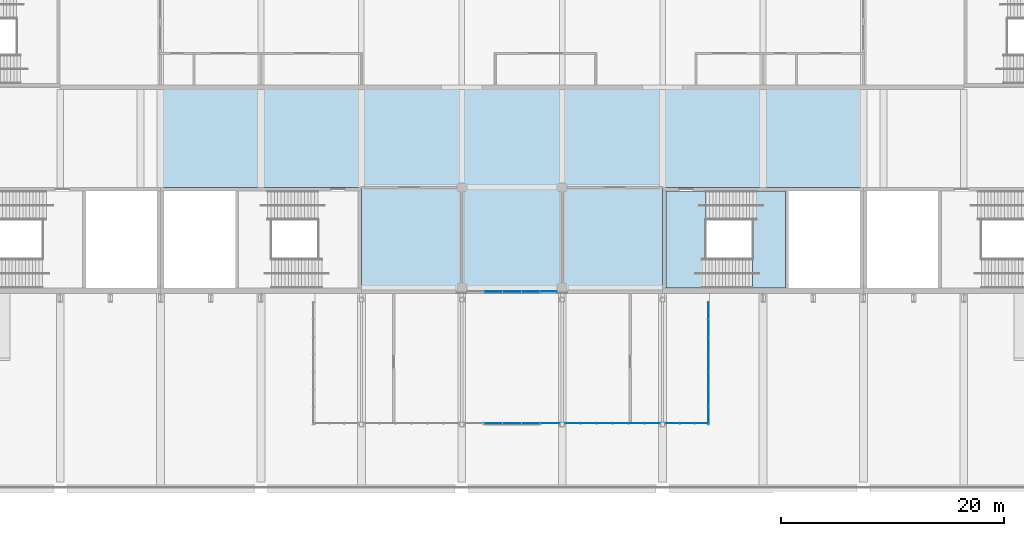
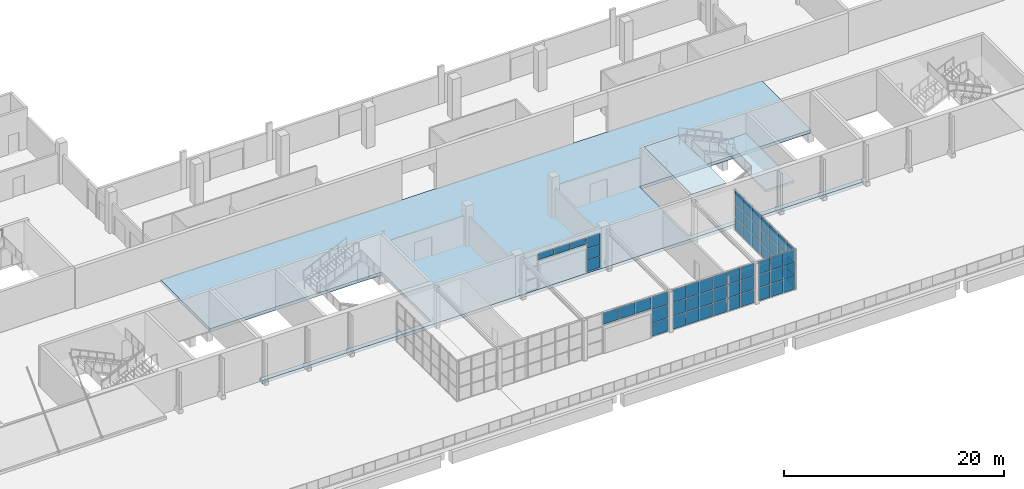
# One storey, part 83 of 168: 60 plates, 3 slabs, 8 elements without a shape of their own.
"""IFC4 building model written with IfcOpenShell, lengths in metres."""

from ifc_helpers import new_model, si_unit, direction, frame, origin, origin_2d, place, context, subcontext, project, spatial, polyline, rectangle, outline, extrude, material, layer, layer_set, type_object, element, aggregate, save


model = new_model("IFC4")

# Units and contexts
model_context = context("Model", 3, precision=1e-05, world=origin(), true_north=direction((0.0, 1.0)))
body_context = subcontext(model_context, "Body", "Model", "MODEL_VIEW")
ifc_project = project(units=[si_unit("LENGTHUNIT", "METRE"), si_unit("AREAUNIT", "SQUARE_METRE"), si_unit("VOLUMEUNIT", "CUBIC_METRE"), si_unit("PLANEANGLEUNIT", "RADIAN"), si_unit("MASSUNIT", "GRAM", prefix="KILO")], contexts=[model_context])

# Site, building, storey
site_placement = place(None, origin())
site = spatial("IfcSite", under=ifc_project, at=site_placement, CompositionType="ELEMENT")
building_placement = place(site_placement, origin())
building = spatial("IfcBuilding", under=site, at=building_placement, Name="Silverbay Arena", CompositionType="ELEMENT")
storey_placement = place(building_placement, frame((0.0, 0.0, 7.0)))
storey = spatial("IfcBuildingStorey", under=building, at=storey_placement, Name="L01", CompositionType="ELEMENT", Elevation=7.0)

# Curtain wall, plates
ifc_material_1 = material(Name="Aluminium framed curtain wall", Category="aluminium")
curtain_wall_type_1 = type_object("IfcCurtainWallType", Name="Curtain wall 1500 x 3900", PredefinedType="NOTDEFINED", material=ifc_material_1)
curtain_wall_1_placement = place(storey_placement, origin())
curtain_wall_1 = element("IfcCurtainWall", 1, at=curtain_wall_1_placement, inside=storey, type_object=curtain_wall_type_1, Name="South curtain wall L01 bay 12", PredefinedType="NOTDEFINED")
ifc_material_2 = material(Name="Laminated glass", Category="glass")
ifc_layer_1 = layer(ifc_material_2, 0.028076171875)
ifc_layer_set_1 = layer_set([ifc_layer_1], Name="Laminated glass")
plate_type = type_object("IfcPlateType", Name="Glass panel 28", PredefinedType="CURTAIN_PANEL", material=ifc_layer_set_1)
plate_1_placement = place(storey_placement, frame((133.800048828125, 17.669921875, 0.050048828125), z_axis=(0.0, 0.0, 1.0), x_axis=(1.0, 0.0, 0.0)))
plate_1 = element("IfcPlate", 2, at=plate_1_placement, type_object=plate_type, Name="CW4 panel 1.1", PredefinedType="CURTAIN_PANEL", context=body_context, shape_type="SweptSolid", body=[
    extrude(rectangle(XDim=1.3798828125, YDim=0.028076171875, at=origin_2d()), origin(), (0.0, 0.0, 1.0), 1.22509765625),
])
plate_2_placement = place(storey_placement, frame((133.800048828125, 17.669921875, 1.324951171875), z_axis=(0.0, 0.0, 1.0), x_axis=(1.0, 0.0, 0.0)))
plate_2 = element("IfcPlate", 3, at=plate_2_placement, type_object=plate_type, Name="CW4 panel 1.2", PredefinedType="CURTAIN_PANEL", context=body_context, shape_type="SweptSolid", body=[
    extrude(rectangle(XDim=1.3798828125, YDim=0.028076171875, at=origin_2d()), origin(), (0.0, 0.0, 1.0), 1.25),
])
plate_3_placement = place(storey_placement, frame((133.800048828125, 17.669921875, 2.625), z_axis=(0.0, 0.0, 1.0), x_axis=(1.0, 0.0, 0.0)))
plate_3 = element("IfcPlate", 4, at=plate_3_placement, type_object=plate_type, Name="CW4 panel 1.3", PredefinedType="CURTAIN_PANEL", context=body_context, shape_type="SweptSolid", body=[
    extrude(rectangle(XDim=1.3798828125, YDim=0.028076171875, at=origin_2d()), origin(), (0.0, 0.0, 1.0), 1.22509765625),
])
aggregate(curtain_wall_1, [plate_1, plate_2, plate_3])

ifc_material_3 = material(Name="Aluminium framed curtain wall", Category="aluminium")
curtain_wall_type_2 = type_object("IfcCurtainWallType", Name="Curtain wall 5100 x 800", PredefinedType="NOTDEFINED", material=ifc_material_3)
curtain_wall_2_placement = place(storey_placement, origin())
curtain_wall_2 = element("IfcCurtainWall", 5, at=curtain_wall_2_placement, inside=storey, type_object=curtain_wall_type_2, Name="South curtain wall L01 bay 12", PredefinedType="NOTDEFINED")
plate_4_placement = place(storey_placement, frame((128.81494140625, 17.669921875, 3.14990234375), z_axis=(0.0, 0.0, 1.0), x_axis=(1.0, 0.0, 0.0)))
plate_4 = element("IfcPlate", 6, at=plate_4_placement, type_object=plate_type, Name="CW3 panel 1.1", PredefinedType="CURTAIN_PANEL", context=body_context, shape_type="SweptSolid", body=[
    extrude(rectangle(XDim=1.610107421875, YDim=0.028076171875, at=origin_2d()), origin(), (0.0, 0.0, 1.0), 0.699951171875),
])
plate_5_placement = place(storey_placement, frame((130.5, 17.669921875, 3.14990234375), z_axis=(0.0, 0.0, 1.0), x_axis=(1.0, 0.0, 0.0)))
plate_5 = element("IfcPlate", 7, at=plate_5_placement, type_object=plate_type, Name="CW3 panel 2.1", PredefinedType="CURTAIN_PANEL", context=body_context, shape_type="SweptSolid", body=[
    extrude(rectangle(XDim=1.639892578125, YDim=0.028076171875, at=origin_2d()), origin(), (0.0, 0.0, 1.0), 0.699951171875),
])
plate_6_placement = place(storey_placement, frame((132.18505859375, 17.669921875, 3.14990234375), z_axis=(0.0, 0.0, 1.0), x_axis=(1.0, 0.0, 0.0)))
plate_6 = element("IfcPlate", 8, at=plate_6_placement, type_object=plate_type, Name="CW3 panel 3.1", PredefinedType="CURTAIN_PANEL", context=body_context, shape_type="SweptSolid", body=[
    extrude(rectangle(XDim=1.610107421875, YDim=0.028076171875, at=origin_2d()), origin(), (0.0, 0.0, 1.0), 0.699951171875),
])
aggregate(curtain_wall_2, [plate_4, plate_5, plate_6])

ifc_material_4 = material(Name="Aluminium framed curtain wall", Category="aluminium")
curtain_wall_type_3 = type_object("IfcCurtainWallType", Name="Curtain wall 1750 x 4500", PredefinedType="NOTDEFINED", material=ifc_material_4)
curtain_wall_3_placement = place(storey_placement, origin())
curtain_wall_3 = element("IfcCurtainWall", 9, at=curtain_wall_3_placement, inside=storey, type_object=curtain_wall_type_3, Name="South entrance hall S1 glazing F1b", PredefinedType="NOTDEFINED")
plate_7_placement = place(storey_placement, frame((133.925048828125, 5.860107421875, 0.0498046875), z_axis=(0.0, 0.0, 1.0), x_axis=(1.0, 0.0, 0.0)))
plate_7 = element("IfcPlate", 10, at=plate_7_placement, type_object=plate_type, Name="CW28 panel 1.1", PredefinedType="CURTAIN_PANEL", context=body_context, shape_type="SweptSolid", body=[
    extrude(rectangle(XDim=1.6298828125, YDim=0.028076171875, at=origin_2d()), origin(), (0.0, 0.0, 1.0), 1.425048828125),
])
plate_8_placement = place(storey_placement, frame((133.925048828125, 5.860107421875, 1.52490234375), z_axis=(0.0, 0.0, 1.0), x_axis=(1.0, 0.0, 0.0)))
plate_8 = element("IfcPlate", 11, at=plate_8_placement, type_object=plate_type, Name="CW28 panel 1.2", PredefinedType="CURTAIN_PANEL", context=body_context, shape_type="SweptSolid", body=[
    extrude(rectangle(XDim=1.6298828125, YDim=0.028076171875, at=origin_2d()), origin(), (0.0, 0.0, 1.0), 1.449951171875),
])
plate_9_placement = place(storey_placement, frame((133.925048828125, 5.860107421875, 3.02490234375), z_axis=(0.0, 0.0, 1.0), x_axis=(1.0, 0.0, 0.0)))
plate_9 = element("IfcPlate", 12, at=plate_9_placement, type_object=plate_type, Name="CW28 panel 1.3", PredefinedType="CURTAIN_PANEL", context=body_context, shape_type="SweptSolid", body=[
    extrude(rectangle(XDim=1.6298828125, YDim=0.028076171875, at=origin_2d()), origin(), (0.0, 0.0, 1.0), 1.425048828125),
])
aggregate(curtain_wall_3, [plate_7, plate_8, plate_9])

ifc_material_5 = material(Name="Aluminium framed curtain wall", Category="aluminium")
curtain_wall_type_4 = type_object("IfcCurtainWallType", Name="Curtain wall 8600 x 4500", PredefinedType="NOTDEFINED", material=ifc_material_5)
curtain_wall_4_placement = place(storey_placement, origin())
curtain_wall_4 = element("IfcCurtainWall", 13, at=curtain_wall_4_placement, inside=storey, type_object=curtain_wall_type_4, Name="South entrance hall S1 glazing F2", PredefinedType="NOTDEFINED")
plate_10_placement = place(storey_placement, frame((135.931640625, 5.860107421875, 0.0498046875), z_axis=(0.0, 0.0, 1.0), x_axis=(1.0, 0.0, 0.0)))
plate_10 = element("IfcPlate", 14, at=plate_10_placement, type_object=plate_type, Name="CW24 panel 1.1", PredefinedType="CURTAIN_PANEL", context=body_context, shape_type="SweptSolid", body=[
    extrude(rectangle(XDim=1.34326171875, YDim=0.028076171875, at=origin_2d()), origin(), (0.0, 0.0, 1.0), 1.425048828125),
])
plate_11_placement = place(storey_placement, frame((135.931640625, 5.860107421875, 1.52490234375), z_axis=(0.0, 0.0, 1.0), x_axis=(1.0, 0.0, 0.0)))
plate_11 = element("IfcPlate", 15, at=plate_11_placement, type_object=plate_type, Name="CW24 panel 1.2", PredefinedType="CURTAIN_PANEL", context=body_context, shape_type="SweptSolid", body=[
    extrude(rectangle(XDim=1.34326171875, YDim=0.028076171875, at=origin_2d()), origin(), (0.0, 0.0, 1.0), 1.449951171875),
])
plate_12_placement = place(storey_placement, frame((135.931640625, 5.860107421875, 3.02490234375), z_axis=(0.0, 0.0, 1.0), x_axis=(1.0, 0.0, 0.0)))
plate_12 = element("IfcPlate", 16, at=plate_12_placement, type_object=plate_type, Name="CW24 panel 1.3", PredefinedType="CURTAIN_PANEL", context=body_context, shape_type="SweptSolid", body=[
    extrude(rectangle(XDim=1.34326171875, YDim=0.028076171875, at=origin_2d()), origin(), (0.0, 0.0, 1.0), 1.425048828125),
])
plate_13_placement = place(storey_placement, frame((137.35009765625, 5.860107421875, 0.0498046875), z_axis=(0.0, 0.0, 1.0), x_axis=(1.0, 0.0, 0.0)))
plate_13 = element("IfcPlate", 17, at=plate_13_placement, type_object=plate_type, Name="CW24 panel 2.1", PredefinedType="CURTAIN_PANEL", context=body_context, shape_type="SweptSolid", body=[
    extrude(rectangle(XDim=1.373291015625, YDim=0.028076171875, at=origin_2d()), origin(), (0.0, 0.0, 1.0), 1.425048828125),
])
plate_14_placement = place(storey_placement, frame((137.35009765625, 5.860107421875, 1.52490234375), z_axis=(0.0, 0.0, 1.0), x_axis=(1.0, 0.0, 0.0)))
plate_14 = element("IfcPlate", 18, at=plate_14_placement, type_object=plate_type, Name="CW24 panel 2.2", PredefinedType="CURTAIN_PANEL", context=body_context, shape_type="SweptSolid", body=[
    extrude(rectangle(XDim=1.373291015625, YDim=0.028076171875, at=origin_2d()), origin(), (0.0, 0.0, 1.0), 1.449951171875),
])
plate_15_placement = place(storey_placement, frame((137.35009765625, 5.860107421875, 3.02490234375), z_axis=(0.0, 0.0, 1.0), x_axis=(1.0, 0.0, 0.0)))
plate_15 = element("IfcPlate", 19, at=plate_15_placement, type_object=plate_type, Name="CW24 panel 2.3", PredefinedType="CURTAIN_PANEL", context=body_context, shape_type="SweptSolid", body=[
    extrude(rectangle(XDim=1.373291015625, YDim=0.028076171875, at=origin_2d()), origin(), (0.0, 0.0, 1.0), 1.425048828125),
])
plate_16_placement = place(storey_placement, frame((138.783447265625, 5.860107421875, 0.0498046875), z_axis=(0.0, 0.0, 1.0), x_axis=(1.0, 0.0, 0.0)))
plate_16 = element("IfcPlate", 20, at=plate_16_placement, type_object=plate_type, Name="CW24 panel 3.1", PredefinedType="CURTAIN_PANEL", context=body_context, shape_type="SweptSolid", body=[
    extrude(rectangle(XDim=1.373291015625, YDim=0.028076171875, at=origin_2d()), origin(), (0.0, 0.0, 1.0), 1.425048828125),
])
plate_17_placement = place(storey_placement, frame((138.783447265625, 5.860107421875, 1.52490234375), z_axis=(0.0, 0.0, 1.0), x_axis=(1.0, 0.0, 0.0)))
plate_17 = element("IfcPlate", 21, at=plate_17_placement, type_object=plate_type, Name="CW24 panel 3.2", PredefinedType="CURTAIN_PANEL", context=body_context, shape_type="SweptSolid", body=[
    extrude(rectangle(XDim=1.373291015625, YDim=0.028076171875, at=origin_2d()), origin(), (0.0, 0.0, 1.0), 1.449951171875),
])
plate_18_placement = place(storey_placement, frame((138.783447265625, 5.860107421875, 3.02490234375), z_axis=(0.0, 0.0, 1.0), x_axis=(1.0, 0.0, 0.0)))
plate_18 = element("IfcPlate", 22, at=plate_18_placement, type_object=plate_type, Name="CW24 panel 3.3", PredefinedType="CURTAIN_PANEL", context=body_context, shape_type="SweptSolid", body=[
    extrude(rectangle(XDim=1.373291015625, YDim=0.028076171875, at=origin_2d()), origin(), (0.0, 0.0, 1.0), 1.425048828125),
])
plate_19_placement = place(storey_placement, frame((140.216552734375, 5.860107421875, 0.0498046875), z_axis=(0.0, 0.0, 1.0), x_axis=(1.0, 0.0, 0.0)))
plate_19 = element("IfcPlate", 23, at=plate_19_placement, type_object=plate_type, Name="CW24 panel 4.1", PredefinedType="CURTAIN_PANEL", context=body_context, shape_type="SweptSolid", body=[
    extrude(rectangle(XDim=1.373291015625, YDim=0.028076171875, at=origin_2d()), origin(), (0.0, 0.0, 1.0), 1.425048828125),
])
plate_20_placement = place(storey_placement, frame((140.216552734375, 5.860107421875, 1.52490234375), z_axis=(0.0, 0.0, 1.0), x_axis=(1.0, 0.0, 0.0)))
plate_20 = element("IfcPlate", 24, at=plate_20_placement, type_object=plate_type, Name="CW24 panel 4.2", PredefinedType="CURTAIN_PANEL", context=body_context, shape_type="SweptSolid", body=[
    extrude(rectangle(XDim=1.373291015625, YDim=0.028076171875, at=origin_2d()), origin(), (0.0, 0.0, 1.0), 1.449951171875),
])
plate_21_placement = place(storey_placement, frame((140.216552734375, 5.860107421875, 3.02490234375), z_axis=(0.0, 0.0, 1.0), x_axis=(1.0, 0.0, 0.0)))
plate_21 = element("IfcPlate", 25, at=plate_21_placement, type_object=plate_type, Name="CW24 panel 4.3", PredefinedType="CURTAIN_PANEL", context=body_context, shape_type="SweptSolid", body=[
    extrude(rectangle(XDim=1.373291015625, YDim=0.028076171875, at=origin_2d()), origin(), (0.0, 0.0, 1.0), 1.425048828125),
])
plate_22_placement = place(storey_placement, frame((141.64990234375, 5.860107421875, 0.0498046875), z_axis=(0.0, 0.0, 1.0), x_axis=(1.0, 0.0, 0.0)))
plate_22 = element("IfcPlate", 26, at=plate_22_placement, type_object=plate_type, Name="CW24 panel 5.1", PredefinedType="CURTAIN_PANEL", context=body_context, shape_type="SweptSolid", body=[
    extrude(rectangle(XDim=1.373291015625, YDim=0.028076171875, at=origin_2d()), origin(), (0.0, 0.0, 1.0), 1.425048828125),
])
plate_23_placement = place(storey_placement, frame((141.64990234375, 5.860107421875, 1.52490234375), z_axis=(0.0, 0.0, 1.0), x_axis=(1.0, 0.0, 0.0)))
plate_23 = element("IfcPlate", 27, at=plate_23_placement, type_object=plate_type, Name="CW24 panel 5.2", PredefinedType="CURTAIN_PANEL", context=body_context, shape_type="SweptSolid", body=[
    extrude(rectangle(XDim=1.373291015625, YDim=0.028076171875, at=origin_2d()), origin(), (0.0, 0.0, 1.0), 1.449951171875),
])
plate_24_placement = place(storey_placement, frame((141.64990234375, 5.860107421875, 3.02490234375), z_axis=(0.0, 0.0, 1.0), x_axis=(1.0, 0.0, 0.0)))
plate_24 = element("IfcPlate", 28, at=plate_24_placement, type_object=plate_type, Name="CW24 panel 5.3", PredefinedType="CURTAIN_PANEL", context=body_context, shape_type="SweptSolid", body=[
    extrude(rectangle(XDim=1.373291015625, YDim=0.028076171875, at=origin_2d()), origin(), (0.0, 0.0, 1.0), 1.425048828125),
])
plate_25_placement = place(storey_placement, frame((143.068359375, 5.860107421875, 0.0498046875), z_axis=(0.0, 0.0, 1.0), x_axis=(1.0, 0.0, 0.0)))
plate_25 = element("IfcPlate", 29, at=plate_25_placement, type_object=plate_type, Name="CW24 panel 6.1", PredefinedType="CURTAIN_PANEL", context=body_context, shape_type="SweptSolid", body=[
    extrude(rectangle(XDim=1.34326171875, YDim=0.028076171875, at=origin_2d()), origin(), (0.0, 0.0, 1.0), 1.425048828125),
])
plate_26_placement = place(storey_placement, frame((143.068359375, 5.860107421875, 1.52490234375), z_axis=(0.0, 0.0, 1.0), x_axis=(1.0, 0.0, 0.0)))
plate_26 = element("IfcPlate", 30, at=plate_26_placement, type_object=plate_type, Name="CW24 panel 6.2", PredefinedType="CURTAIN_PANEL", context=body_context, shape_type="SweptSolid", body=[
    extrude(rectangle(XDim=1.34326171875, YDim=0.028076171875, at=origin_2d()), origin(), (0.0, 0.0, 1.0), 1.449951171875),
])
plate_27_placement = place(storey_placement, frame((143.068359375, 5.860107421875, 3.02490234375), z_axis=(0.0, 0.0, 1.0), x_axis=(1.0, 0.0, 0.0)))
plate_27 = element("IfcPlate", 31, at=plate_27_placement, type_object=plate_type, Name="CW24 panel 6.3", PredefinedType="CURTAIN_PANEL", context=body_context, shape_type="SweptSolid", body=[
    extrude(rectangle(XDim=1.34326171875, YDim=0.028076171875, at=origin_2d()), origin(), (0.0, 0.0, 1.0), 1.425048828125),
])
aggregate(curtain_wall_4, [plate_10, plate_11, plate_12, plate_13, plate_14, plate_15, plate_16, plate_17, plate_18, plate_19, plate_20, plate_21, plate_22, plate_23, plate_24, plate_25, plate_26, plate_27])

ifc_material_6 = material(Name="Aluminium framed curtain wall", Category="aluminium")
curtain_wall_type_5 = type_object("IfcCurtainWallType", Name="Curtain wall 4000 x 4500", PredefinedType="NOTDEFINED", material=ifc_material_6)
curtain_wall_5_placement = place(storey_placement, origin())
curtain_wall_5 = element("IfcCurtainWall", 32, at=curtain_wall_5_placement, inside=storey, type_object=curtain_wall_type_5, Name="South entrance hall S1 glazing F-b", PredefinedType="NOTDEFINED")
plate_28_placement = place(storey_placement, frame((144.881591796875, 5.860107421875, 0.0498046875), z_axis=(0.0, 0.0, 1.0), x_axis=(1.0, 0.0, 0.0)))
plate_28 = element("IfcPlate", 33, at=plate_28_placement, type_object=plate_type, Name="CW32 panel 1.1", PredefinedType="CURTAIN_PANEL", context=body_context, shape_type="SweptSolid", body=[
    extrude(rectangle(XDim=1.243408203125, YDim=0.028076171875, at=origin_2d()), origin(), (0.0, 0.0, 1.0), 1.425048828125),
])
plate_29_placement = place(storey_placement, frame((144.881591796875, 5.860107421875, 1.52490234375), z_axis=(0.0, 0.0, 1.0), x_axis=(1.0, 0.0, 0.0)))
plate_29 = element("IfcPlate", 34, at=plate_29_placement, type_object=plate_type, Name="CW32 panel 1.2", PredefinedType="CURTAIN_PANEL", context=body_context, shape_type="SweptSolid", body=[
    extrude(rectangle(XDim=1.243408203125, YDim=0.028076171875, at=origin_2d()), origin(), (0.0, 0.0, 1.0), 1.449951171875),
])
plate_30_placement = place(storey_placement, frame((144.881591796875, 5.860107421875, 3.02490234375), z_axis=(0.0, 0.0, 1.0), x_axis=(1.0, 0.0, 0.0)))
plate_30 = element("IfcPlate", 35, at=plate_30_placement, type_object=plate_type, Name="CW32 panel 1.3", PredefinedType="CURTAIN_PANEL", context=body_context, shape_type="SweptSolid", body=[
    extrude(rectangle(XDim=1.243408203125, YDim=0.028076171875, at=origin_2d()), origin(), (0.0, 0.0, 1.0), 1.425048828125),
])
plate_31_placement = place(storey_placement, frame((146.199951171875, 5.860107421875, 0.0498046875), z_axis=(0.0, 0.0, 1.0), x_axis=(1.0, 0.0, 0.0)))
plate_31 = element("IfcPlate", 36, at=plate_31_placement, type_object=plate_type, Name="CW32 panel 2.1", PredefinedType="CURTAIN_PANEL", context=body_context, shape_type="SweptSolid", body=[
    extrude(rectangle(XDim=1.2734375, YDim=0.028076171875, at=origin_2d()), origin(), (0.0, 0.0, 1.0), 1.425048828125),
])
plate_32_placement = place(storey_placement, frame((146.199951171875, 5.860107421875, 1.52490234375), z_axis=(0.0, 0.0, 1.0), x_axis=(1.0, 0.0, 0.0)))
plate_32 = element("IfcPlate", 37, at=plate_32_placement, type_object=plate_type, Name="CW32 panel 2.2", PredefinedType="CURTAIN_PANEL", context=body_context, shape_type="SweptSolid", body=[
    extrude(rectangle(XDim=1.2734375, YDim=0.028076171875, at=origin_2d()), origin(), (0.0, 0.0, 1.0), 1.449951171875),
])
plate_33_placement = place(storey_placement, frame((146.199951171875, 5.860107421875, 3.02490234375), z_axis=(0.0, 0.0, 1.0), x_axis=(1.0, 0.0, 0.0)))
plate_33 = element("IfcPlate", 38, at=plate_33_placement, type_object=plate_type, Name="CW32 panel 2.3", PredefinedType="CURTAIN_PANEL", context=body_context, shape_type="SweptSolid", body=[
    extrude(rectangle(XDim=1.2734375, YDim=0.028076171875, at=origin_2d()), origin(), (0.0, 0.0, 1.0), 1.425048828125),
])
plate_34_placement = place(storey_placement, frame((147.518310546875, 5.860107421875, 0.0498046875), z_axis=(0.0, 0.0, 1.0), x_axis=(1.0, 0.0, 0.0)))
plate_34 = element("IfcPlate", 39, at=plate_34_placement, type_object=plate_type, Name="CW32 panel 3.1", PredefinedType="CURTAIN_PANEL", context=body_context, shape_type="SweptSolid", body=[
    extrude(rectangle(XDim=1.243408203125, YDim=0.028076171875, at=origin_2d()), origin(), (0.0, 0.0, 1.0), 1.425048828125),
])
plate_35_placement = place(storey_placement, frame((147.518310546875, 5.860107421875, 1.52490234375), z_axis=(0.0, 0.0, 1.0), x_axis=(1.0, 0.0, 0.0)))
plate_35 = element("IfcPlate", 40, at=plate_35_placement, type_object=plate_type, Name="CW32 panel 3.2", PredefinedType="CURTAIN_PANEL", context=body_context, shape_type="SweptSolid", body=[
    extrude(rectangle(XDim=1.243408203125, YDim=0.028076171875, at=origin_2d()), origin(), (0.0, 0.0, 1.0), 1.449951171875),
])
plate_36_placement = place(storey_placement, frame((147.518310546875, 5.860107421875, 3.02490234375), z_axis=(0.0, 0.0, 1.0), x_axis=(1.0, 0.0, 0.0)))
plate_36 = element("IfcPlate", 41, at=plate_36_placement, type_object=plate_type, Name="CW32 panel 3.3", PredefinedType="CURTAIN_PANEL", context=body_context, shape_type="SweptSolid", body=[
    extrude(rectangle(XDim=1.243408203125, YDim=0.028076171875, at=origin_2d()), origin(), (0.0, 0.0, 1.0), 1.425048828125),
])
aggregate(curtain_wall_5, [plate_28, plate_29, plate_30, plate_31, plate_32, plate_33, plate_34, plate_35, plate_36])

ifc_material_7 = material(Name="Aluminium framed curtain wall", Category="aluminium")
curtain_wall_type_6 = type_object("IfcCurtainWallType", Name="Curtain wall 11000 x 4500", PredefinedType="NOTDEFINED", material=ifc_material_7)
curtain_wall_6_placement = place(storey_placement, origin())
curtain_wall_6 = element("IfcCurtainWall", 42, at=curtain_wall_6_placement, inside=storey, type_object=curtain_wall_type_6, Name="South entrance hall S1 glazing SB", PredefinedType="NOTDEFINED")
plate_37_placement = place(storey_placement, frame((148.090087890625, 6.55078125, 0.0498046875), z_axis=(0.0, 0.0, 1.0), x_axis=(0.0, 1.0, 0.0)))
plate_37 = element("IfcPlate", 43, at=plate_37_placement, type_object=plate_type, Name="CW36 panel 1.1", PredefinedType="CURTAIN_PANEL", context=body_context, shape_type="SweptSolid", body=[
    extrude(rectangle(XDim=1.4814453125, YDim=0.028076171875, at=origin_2d()), origin(), (0.0, 0.0, 1.0), 1.425048828125),
])
plate_38_placement = place(storey_placement, frame((148.090087890625, 6.55078125, 1.52490234375), z_axis=(0.0, 0.0, 1.0), x_axis=(0.0, 1.0, 0.0)))
plate_38 = element("IfcPlate", 44, at=plate_38_placement, type_object=plate_type, Name="CW36 panel 1.2", PredefinedType="CURTAIN_PANEL", context=body_context, shape_type="SweptSolid", body=[
    extrude(rectangle(XDim=1.4814453125, YDim=0.028076171875, at=origin_2d()), origin(), (0.0, 0.0, 1.0), 1.449951171875),
])
plate_39_placement = place(storey_placement, frame((148.090087890625, 6.55078125, 3.02490234375), z_axis=(0.0, 0.0, 1.0), x_axis=(0.0, 1.0, 0.0)))
plate_39 = element("IfcPlate", 45, at=plate_39_placement, type_object=plate_type, Name="CW36 panel 1.3", PredefinedType="CURTAIN_PANEL", context=body_context, shape_type="SweptSolid", body=[
    extrude(rectangle(XDim=1.4814453125, YDim=0.028076171875, at=origin_2d()), origin(), (0.0, 0.0, 1.0), 1.425048828125),
])
plate_40_placement = place(storey_placement, frame((148.090087890625, 8.107177734375, 0.0498046875), z_axis=(0.0, 0.0, 1.0), x_axis=(0.0, 1.0, 0.0)))
plate_40 = element("IfcPlate", 46, at=plate_40_placement, type_object=plate_type, Name="CW36 panel 2.1", PredefinedType="CURTAIN_PANEL", context=body_context, shape_type="SweptSolid", body=[
    extrude(rectangle(XDim=1.511474609375, YDim=0.028076171875, at=origin_2d()), origin(), (0.0, 0.0, 1.0), 1.425048828125),
])
plate_41_placement = place(storey_placement, frame((148.090087890625, 8.107177734375, 1.52490234375), z_axis=(0.0, 0.0, 1.0), x_axis=(0.0, 1.0, 0.0)))
plate_41 = element("IfcPlate", 47, at=plate_41_placement, type_object=plate_type, Name="CW36 panel 2.2", PredefinedType="CURTAIN_PANEL", context=body_context, shape_type="SweptSolid", body=[
    extrude(rectangle(XDim=1.511474609375, YDim=0.028076171875, at=origin_2d()), origin(), (0.0, 0.0, 1.0), 1.449951171875),
])
plate_42_placement = place(storey_placement, frame((148.090087890625, 8.107177734375, 3.02490234375), z_axis=(0.0, 0.0, 1.0), x_axis=(0.0, 1.0, 0.0)))
plate_42 = element("IfcPlate", 48, at=plate_42_placement, type_object=plate_type, Name="CW36 panel 2.3", PredefinedType="CURTAIN_PANEL", context=body_context, shape_type="SweptSolid", body=[
    extrude(rectangle(XDim=1.511474609375, YDim=0.028076171875, at=origin_2d()), origin(), (0.0, 0.0, 1.0), 1.425048828125),
])
plate_43_placement = place(storey_placement, frame((148.090087890625, 9.678466796875, 0.0498046875), z_axis=(0.0, 0.0, 1.0), x_axis=(0.0, 1.0, 0.0)))
plate_43 = element("IfcPlate", 49, at=plate_43_placement, type_object=plate_type, Name="CW36 panel 3.1", PredefinedType="CURTAIN_PANEL", context=body_context, shape_type="SweptSolid", body=[
    extrude(rectangle(XDim=1.511474609375, YDim=0.028076171875, at=origin_2d()), origin(), (0.0, 0.0, 1.0), 1.425048828125),
])
plate_44_placement = place(storey_placement, frame((148.090087890625, 9.678466796875, 1.52490234375), z_axis=(0.0, 0.0, 1.0), x_axis=(0.0, 1.0, 0.0)))
plate_44 = element("IfcPlate", 50, at=plate_44_placement, type_object=plate_type, Name="CW36 panel 3.2", PredefinedType="CURTAIN_PANEL", context=body_context, shape_type="SweptSolid", body=[
    extrude(rectangle(XDim=1.511474609375, YDim=0.028076171875, at=origin_2d()), origin(), (0.0, 0.0, 1.0), 1.449951171875),
])
plate_45_placement = place(storey_placement, frame((148.090087890625, 9.678466796875, 3.02490234375), z_axis=(0.0, 0.0, 1.0), x_axis=(0.0, 1.0, 0.0)))
plate_45 = element("IfcPlate", 51, at=plate_45_placement, type_object=plate_type, Name="CW36 panel 3.3", PredefinedType="CURTAIN_PANEL", context=body_context, shape_type="SweptSolid", body=[
    extrude(rectangle(XDim=1.511474609375, YDim=0.028076171875, at=origin_2d()), origin(), (0.0, 0.0, 1.0), 1.425048828125),
])
plate_46_placement = place(storey_placement, frame((148.090087890625, 11.25, 0.0498046875), z_axis=(0.0, 0.0, 1.0), x_axis=(0.0, 1.0, 0.0)))
plate_46 = element("IfcPlate", 52, at=plate_46_placement, type_object=plate_type, Name="CW36 panel 4.1", PredefinedType="CURTAIN_PANEL", context=body_context, shape_type="SweptSolid", body=[
    extrude(rectangle(XDim=1.511474609375, YDim=0.028076171875, at=origin_2d()), origin(), (0.0, 0.0, 1.0), 1.425048828125),
])
plate_47_placement = place(storey_placement, frame((148.090087890625, 11.25, 1.52490234375), z_axis=(0.0, 0.0, 1.0), x_axis=(0.0, 1.0, 0.0)))
plate_47 = element("IfcPlate", 53, at=plate_47_placement, type_object=plate_type, Name="CW36 panel 4.2", PredefinedType="CURTAIN_PANEL", context=body_context, shape_type="SweptSolid", body=[
    extrude(rectangle(XDim=1.511474609375, YDim=0.028076171875, at=origin_2d()), origin(), (0.0, 0.0, 1.0), 1.449951171875),
])
plate_48_placement = place(storey_placement, frame((148.090087890625, 11.25, 3.02490234375), z_axis=(0.0, 0.0, 1.0), x_axis=(0.0, 1.0, 0.0)))
plate_48 = element("IfcPlate", 54, at=plate_48_placement, type_object=plate_type, Name="CW36 panel 4.3", PredefinedType="CURTAIN_PANEL", context=body_context, shape_type="SweptSolid", body=[
    extrude(rectangle(XDim=1.511474609375, YDim=0.028076171875, at=origin_2d()), origin(), (0.0, 0.0, 1.0), 1.425048828125),
])
plate_49_placement = place(storey_placement, frame((148.090087890625, 12.821533203125, 0.0498046875), z_axis=(0.0, 0.0, 1.0), x_axis=(0.0, 1.0, 0.0)))
plate_49 = element("IfcPlate", 55, at=plate_49_placement, type_object=plate_type, Name="CW36 panel 5.1", PredefinedType="CURTAIN_PANEL", context=body_context, shape_type="SweptSolid", body=[
    extrude(rectangle(XDim=1.511474609375, YDim=0.028076171875, at=origin_2d()), origin(), (0.0, 0.0, 1.0), 1.425048828125),
])
plate_50_placement = place(storey_placement, frame((148.090087890625, 12.821533203125, 1.52490234375), z_axis=(0.0, 0.0, 1.0), x_axis=(0.0, 1.0, 0.0)))
plate_50 = element("IfcPlate", 56, at=plate_50_placement, type_object=plate_type, Name="CW36 panel 5.2", PredefinedType="CURTAIN_PANEL", context=body_context, shape_type="SweptSolid", body=[
    extrude(rectangle(XDim=1.511474609375, YDim=0.028076171875, at=origin_2d()), origin(), (0.0, 0.0, 1.0), 1.449951171875),
])
plate_51_placement = place(storey_placement, frame((148.090087890625, 12.821533203125, 3.02490234375), z_axis=(0.0, 0.0, 1.0), x_axis=(0.0, 1.0, 0.0)))
plate_51 = element("IfcPlate", 57, at=plate_51_placement, type_object=plate_type, Name="CW36 panel 5.3", PredefinedType="CURTAIN_PANEL", context=body_context, shape_type="SweptSolid", body=[
    extrude(rectangle(XDim=1.511474609375, YDim=0.028076171875, at=origin_2d()), origin(), (0.0, 0.0, 1.0), 1.425048828125),
])
plate_52_placement = place(storey_placement, frame((148.090087890625, 14.392822265625, 0.0498046875), z_axis=(0.0, 0.0, 1.0), x_axis=(0.0, 1.0, 0.0)))
plate_52 = element("IfcPlate", 58, at=plate_52_placement, type_object=plate_type, Name="CW36 panel 6.1", PredefinedType="CURTAIN_PANEL", context=body_context, shape_type="SweptSolid", body=[
    extrude(rectangle(XDim=1.511474609375, YDim=0.028076171875, at=origin_2d()), origin(), (0.0, 0.0, 1.0), 1.425048828125),
])
plate_53_placement = place(storey_placement, frame((148.090087890625, 14.392822265625, 1.52490234375), z_axis=(0.0, 0.0, 1.0), x_axis=(0.0, 1.0, 0.0)))
plate_53 = element("IfcPlate", 59, at=plate_53_placement, type_object=plate_type, Name="CW36 panel 6.2", PredefinedType="CURTAIN_PANEL", context=body_context, shape_type="SweptSolid", body=[
    extrude(rectangle(XDim=1.511474609375, YDim=0.028076171875, at=origin_2d()), origin(), (0.0, 0.0, 1.0), 1.449951171875),
])
plate_54_placement = place(storey_placement, frame((148.090087890625, 14.392822265625, 3.02490234375), z_axis=(0.0, 0.0, 1.0), x_axis=(0.0, 1.0, 0.0)))
plate_54 = element("IfcPlate", 60, at=plate_54_placement, type_object=plate_type, Name="CW36 panel 6.3", PredefinedType="CURTAIN_PANEL", context=body_context, shape_type="SweptSolid", body=[
    extrude(rectangle(XDim=1.511474609375, YDim=0.028076171875, at=origin_2d()), origin(), (0.0, 0.0, 1.0), 1.425048828125),
])
plate_55_placement = place(storey_placement, frame((148.090087890625, 15.94921875, 0.0498046875), z_axis=(0.0, 0.0, 1.0), x_axis=(0.0, 1.0, 0.0)))
plate_55 = element("IfcPlate", 61, at=plate_55_placement, type_object=plate_type, Name="CW36 panel 7.1", PredefinedType="CURTAIN_PANEL", context=body_context, shape_type="SweptSolid", body=[
    extrude(rectangle(XDim=1.4814453125, YDim=0.028076171875, at=origin_2d()), origin(), (0.0, 0.0, 1.0), 1.425048828125),
])
plate_56_placement = place(storey_placement, frame((148.090087890625, 15.94921875, 1.52490234375), z_axis=(0.0, 0.0, 1.0), x_axis=(0.0, 1.0, 0.0)))
plate_56 = element("IfcPlate", 62, at=plate_56_placement, type_object=plate_type, Name="CW36 panel 7.2", PredefinedType="CURTAIN_PANEL", context=body_context, shape_type="SweptSolid", body=[
    extrude(rectangle(XDim=1.4814453125, YDim=0.028076171875, at=origin_2d()), origin(), (0.0, 0.0, 1.0), 1.449951171875),
])
plate_57_placement = place(storey_placement, frame((148.090087890625, 15.94921875, 3.02490234375), z_axis=(0.0, 0.0, 1.0), x_axis=(0.0, 1.0, 0.0)))
plate_57 = element("IfcPlate", 63, at=plate_57_placement, type_object=plate_type, Name="CW36 panel 7.3", PredefinedType="CURTAIN_PANEL", context=body_context, shape_type="SweptSolid", body=[
    extrude(rectangle(XDim=1.4814453125, YDim=0.028076171875, at=origin_2d()), origin(), (0.0, 0.0, 1.0), 1.425048828125),
])
aggregate(curtain_wall_6, [plate_37, plate_38, plate_39, plate_40, plate_41, plate_42, plate_43, plate_44, plate_45, plate_46, plate_47, plate_48, plate_49, plate_50, plate_51, plate_52, plate_53, plate_54, plate_55, plate_56, plate_57])

ifc_material_8 = material(Name="Aluminium framed curtain wall", Category="aluminium")
curtain_wall_type_7 = type_object("IfcCurtainWallType", Name="Curtain wall 5100 x 1400", PredefinedType="NOTDEFINED", material=ifc_material_8)
curtain_wall_7_placement = place(storey_placement, origin())
curtain_wall_7 = element("IfcCurtainWall", 64, at=curtain_wall_7_placement, inside=storey, type_object=curtain_wall_type_7, Name="South entrance hall S1 glazing over the door", PredefinedType="NOTDEFINED")
plate_58_placement = place(storey_placement, frame((128.81494140625, 5.860107421875, 3.14990234375), z_axis=(0.0, 0.0, 1.0), x_axis=(1.0, 0.0, 0.0)))
plate_58 = element("IfcPlate", 65, at=plate_58_placement, type_object=plate_type, Name="CW39 panel 1.1", PredefinedType="CURTAIN_PANEL", context=body_context, shape_type="SweptSolid", body=[
    extrude(rectangle(XDim=1.610107421875, YDim=0.028076171875, at=origin_2d()), origin(), (0.0, 0.0, 1.0), 1.300048828125),
])
plate_59_placement = place(storey_placement, frame((130.5, 5.860107421875, 3.14990234375), z_axis=(0.0, 0.0, 1.0), x_axis=(1.0, 0.0, 0.0)))
plate_59 = element("IfcPlate", 66, at=plate_59_placement, type_object=plate_type, Name="CW39 panel 2.1", PredefinedType="CURTAIN_PANEL", context=body_context, shape_type="SweptSolid", body=[
    extrude(rectangle(XDim=1.639892578125, YDim=0.028076171875, at=origin_2d()), origin(), (0.0, 0.0, 1.0), 1.300048828125),
])
plate_60_placement = place(storey_placement, frame((132.18505859375, 5.860107421875, 3.14990234375), z_axis=(0.0, 0.0, 1.0), x_axis=(1.0, 0.0, 0.0)))
plate_60 = element("IfcPlate", 67, at=plate_60_placement, type_object=plate_type, Name="CW39 panel 3.1", PredefinedType="CURTAIN_PANEL", context=body_context, shape_type="SweptSolid", body=[
    extrude(rectangle(XDim=1.610107421875, YDim=0.028076171875, at=origin_2d()), origin(), (0.0, 0.0, 1.0), 1.300048828125),
])
aggregate(curtain_wall_7, [plate_58, plate_59, plate_60])

# Slab
ifc_material_9 = material(Name="Concrete Grade C45", Category="concrete")
ifc_layer_2 = layer(ifc_material_9, 0.35009765625)
ifc_layer_set_2 = layer_set([ifc_layer_2], Name="Concrete Grade C45")
slab_type_1 = type_object("IfcSlabType", Name="RC floor slab 350", PredefinedType="FLOOR", material=ifc_layer_set_2)
slab_1_placement = place(storey_placement, frame((0.0, 0.0, -0.35009765625)))
element("IfcSlab", 68, at=slab_1_placement, inside=storey, type_object=slab_type_1, Name="Floor slab L01 unit 3", PredefinedType="FLOOR", context=body_context, shape_type="SweptSolid", body=[
    extrude(outline(polyline([(144.0, 27.0), (144.0, 18.0), (162.0, 18.0), (162.0, 17.5), (99.0, 17.5), (99.0, 18.0), (117.0, 18.0), (117.0, 27.0), (99.0, 27.0), (99.0, 35.97509765625), (162.0, 35.97509765625), (162.0, 27.0), (144.0, 27.0)])), origin(), (0.0, 0.0, 1.0), 0.35009765625),
])

# Stair, slabs
ifc_material_10 = material(Name="Concrete Grade C45", Category="concrete")
stair_type = type_object("IfcStairType", Name="Stair 2600 wide 32 risers 140.6 x 300", PredefinedType="HALF_TURN_STAIR", material=ifc_material_10)
stair_placement = place(storey_placement, origin())
stair = element("IfcStair", 69, at=stair_placement, inside=storey, type_object=stair_type, Name="Stair ST-S3 L01 to L02", PredefinedType="HALF_TURN_STAIR")
ifc_material_11 = material(Name="Concrete Grade C45", Category="concrete")
ifc_layer_3 = layer(ifc_material_11, 0.25)
ifc_layer_set_3 = layer_set([ifc_layer_3], Name="Concrete Grade C45")
slab_type_2 = type_object("IfcSlabType", Name="Stair landing RC 250", PredefinedType="LANDING", material=ifc_layer_set_3)
slab_2_placement = place(storey_placement, frame((0.0, 0.0, 2.0)))
slab_2 = element("IfcSlab", 70, at=slab_2_placement, type_object=slab_type_2, Name="Stair ST-S3 L01 to L02 landing 1", PredefinedType="LANDING", context=body_context, shape_type="SweptSolid", body=[
    extrude(outline(polyline([(152.046630859375, 26.699951171875), (155.0, 26.699951171875), (155.0, 18.0), (152.046630859375, 18.0), (152.046630859375, 26.699951171875)])), origin(), (0.0, 0.0, 1.0), 0.25),
])
slab_3_placement = place(storey_placement, frame((0.0, 0.0, 4.25)))
slab_3 = element("IfcSlab", 71, at=slab_3_placement, type_object=slab_type_2, Name="Stair ST-S3 L01 to L02 landing 2", PredefinedType="LANDING", context=body_context, shape_type="SweptSolid", body=[
    extrude(outline(polyline([(144.300048828125, 26.699951171875), (147.89990234375, 26.699951171875), (147.89990234375, 18.0), (144.300048828125, 18.0), (144.300048828125, 26.699951171875)])), origin(), (0.0, 0.0, 1.0), 0.25),
])
aggregate(stair, [slab_2, slab_3])

save(model, "model.ifc")
